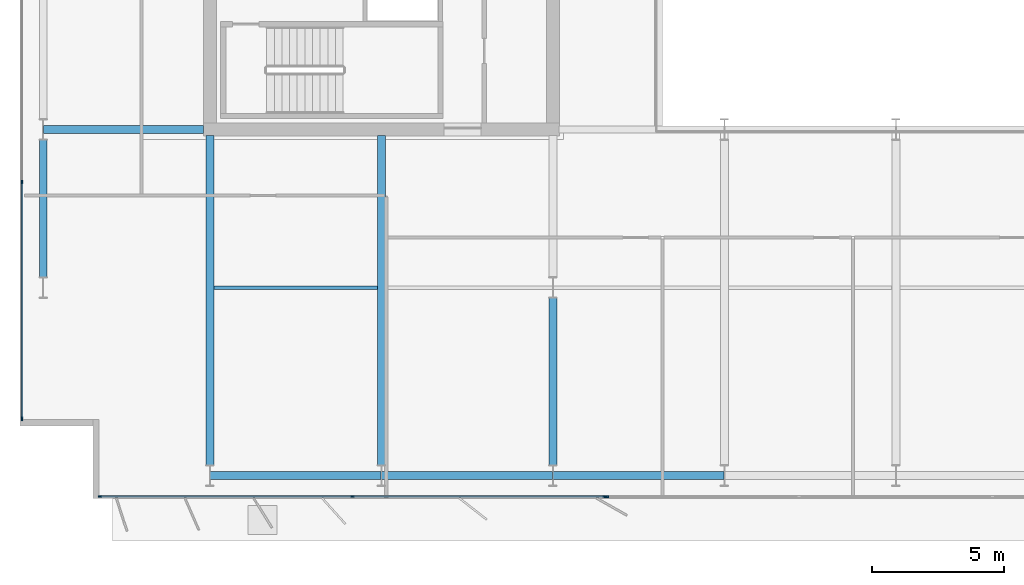
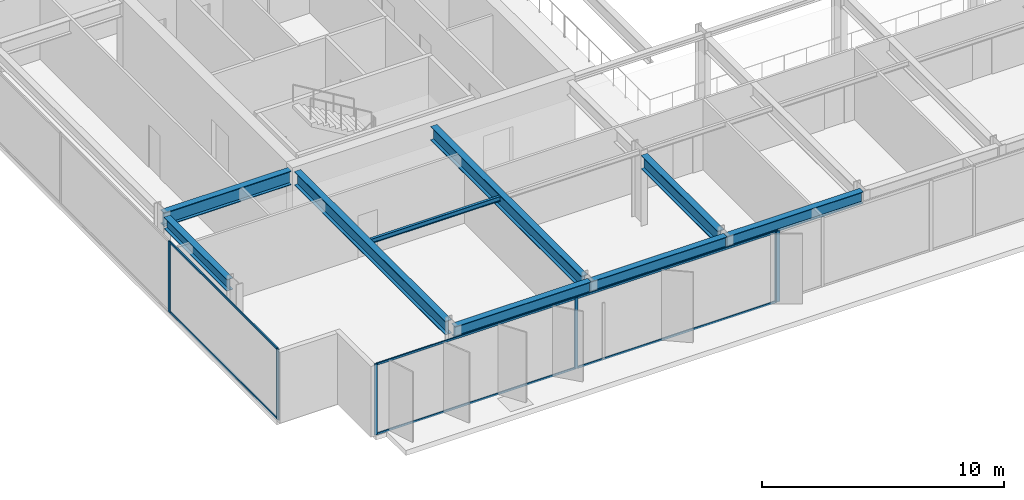
# One storey, part 3 of 23: 12 members, 9 beams, 3 elements without a shape of their own.
"""IFC4 building model written with IfcOpenShell, lengths in metres."""

from ifc_helpers import new_model, si_unit, direction, frame, origin, origin_2d, place, context, subcontext, project, spatial, rectangle, i_section, extrude, material, layer, layer_set, material_profile, profile_set, type_object, element, aggregate, save


model = new_model("IFC4")

# Units and contexts
model_context = context("Model", 3, precision=1e-05, world=origin(), true_north=direction((0.0, 1.0)))
body_context = subcontext(model_context, "Body", "Model", "MODEL_VIEW")
ifc_project = project(units=[si_unit("LENGTHUNIT", "METRE"), si_unit("AREAUNIT", "SQUARE_METRE"), si_unit("VOLUMEUNIT", "CUBIC_METRE"), si_unit("PLANEANGLEUNIT", "RADIAN"), si_unit("MASSUNIT", "GRAM", prefix="KILO")], contexts=[model_context])

# Site, building, storey
site_placement = place(None, origin())
site = spatial("IfcSite", under=ifc_project, at=site_placement, CompositionType="ELEMENT")
building_placement = place(site_placement, origin())
building = spatial("IfcBuilding", under=site, at=building_placement, Name="Putna Gate Headquarters", CompositionType="ELEMENT")
storey_placement = place(building_placement, frame((0.0, 0.0, 202.39990234375)))
storey = spatial("IfcBuildingStorey", under=building, at=storey_placement, Name="L50", CompositionType="ELEMENT", Elevation=202.39990234375)

# Beams
ifc_material_1 = material(Name="Steel S355J2", Category="steel")
ifc_material_profile_1 = material_profile(ifc_material_1, i_section(OverallWidth=0.300048828125, OverallDepth=0.699951171875, WebThickness=0.01708984375, FlangeThickness=0.031982421875, at=origin_2d()), Name="Steel S355J2")
ifc_profile_set_1 = profile_set([ifc_material_profile_1], Name="Steel S355J2")
beam_type_1 = type_object("IfcBeamType", Name="BM-GIRD-B-HEB700", PredefinedType="USERDEFINED", material=ifc_profile_set_1)
beam_1_placement = place(storey_placement, frame((6.68603515625, 19.0, 3.22998046875), z_axis=(1.0, 0.0, 0.0), x_axis=(0.0, 1.0, 0.0)))
element("IfcBeam", 1, at=beam_1_placement, inside=storey, type_object=beam_type_1, Name="L50 West Wing Girder Y19", ObjectType="GIRDER", PredefinedType="USERDEFINED", context=body_context, shape_type="SweptSolid", body=[
    extrude(i_section(OverallWidth=0.300048828125, OverallDepth=0.699951171875, WebThickness=0.01708984375, FlangeThickness=0.031982421875, at=origin_2d()), origin(), (0.0, 0.0, 1.0), 6.078857421875),
])
for number, where, z_axis, x_axis, name in (
    (2, (13.0, 6.27490234375, 3.22998046875), (0.0, 1.0, 0.0), (-1.0, 0.0, 0.0), "L50 South Primary Girder X13"),
    (3, (19.5, 6.27490234375, 3.22998046875), (0.0, 1.0, 0.0), (-1.0, 0.0, 0.0), "L50 South Primary Girder X19"),
):
    element("IfcBeam", number, at=place(storey_placement, frame(where, z_axis=z_axis, x_axis=x_axis)), inside=storey, type_object=beam_type_1, Name=name, ObjectType="GIRDER", PredefinedType="USERDEFINED", context=body_context, shape_type="SweptSolid", body=[
        extrude(i_section(OverallWidth=0.300048828125, OverallDepth=0.699951171875, WebThickness=0.01708984375, FlangeThickness=0.031982421875, at=origin_2d()), origin(), (0.0, 0.0, 1.0), 12.489990234375),
    ])
beam_2_placement = place(storey_placement, frame((26.0, 6.27490234375, 3.22998046875), z_axis=(0.0, 1.0, 0.0), x_axis=(-1.0, 0.0, 0.0)))
element("IfcBeam", 4, at=beam_2_placement, inside=storey, type_object=beam_type_1, Name="L50 South Primary Girder X26-1", ObjectType="GIRDER", PredefinedType="USERDEFINED", context=body_context, shape_type="SweptSolid", body=[
    extrude(i_section(OverallWidth=0.300048828125, OverallDepth=0.699951171875, WebThickness=0.01708984375, FlangeThickness=0.031982421875, at=origin_2d()), origin(), (0.0, 0.0, 1.0), 6.330078125),
])
ifc_material_profile_2 = material_profile(ifc_material_1, i_section(OverallWidth=0.1201171875, OverallDepth=0.239990234375, WebThickness=0.006103515625, FlangeThickness=0.009765625, at=origin_2d()), Name="Steel S355J2")
ifc_profile_set_2 = profile_set([ifc_material_profile_2], Name="Steel S355J2")
beam_type_2 = type_object("IfcBeamType", Name="BM-SEC-Z4-IPE240", PredefinedType="JOIST", material=ifc_profile_set_2)
beam_3_placement = place(storey_placement, frame((13.154052734375, 13.0, 3.460205078125), z_axis=(1.0, 0.0, 0.0), x_axis=(0.0, 1.0, 0.0)))
element("IfcBeam", 5, at=beam_3_placement, inside=storey, type_object=beam_type_2, Name="L50 South Secondary Beam 1", PredefinedType="JOIST", context=body_context, shape_type="SweptSolid", body=[
    extrude(i_section(OverallWidth=0.1201171875, OverallDepth=0.239990234375, WebThickness=0.006103515625, FlangeThickness=0.009765625, at=origin_2d()), origin(), (0.0, 0.0, 1.0), 6.19189453125),
])
ifc_material_profile_3 = material_profile(ifc_material_1, i_section(OverallWidth=0.300048828125, OverallDepth=0.590087890625, WebThickness=0.012939453125, FlangeThickness=0.02490234375, at=origin_2d()), Name="Steel S355J2")
ifc_profile_set_3 = profile_set([ifc_material_profile_3], Name="Steel S355J2")
beam_type_3 = type_object("IfcBeamType", Name="BM-SPAN-Z4-HEA600", PredefinedType="SPANDREL", material=ifc_profile_set_3)
for number, where, z_axis, x_axis, name in (
    (6, (13.006103515625, 5.8798828125, 3.28515625), (1.0, 0.0, 0.0), (0.0, 1.0, 0.0), "L50 S Perimeter Spandrel 1"),
    (7, (19.506103515625, 5.8798828125, 3.28515625), (1.0, 0.0, 0.0), (0.0, 1.0, 0.0), "L50 S Perimeter Spandrel 2"),
    (8, (26.006103515625, 5.8798828125, 3.28515625), (1.0, 0.0, 0.0), (0.0, 1.0, 0.0), "L50 S Perimeter Spandrel 3"),
):
    element("IfcBeam", number, at=place(storey_placement, frame(where, z_axis=z_axis, x_axis=x_axis)), inside=storey, type_object=beam_type_3, Name=name, PredefinedType="SPANDREL", context=body_context, shape_type="SweptSolid", body=[
        extrude(i_section(OverallWidth=0.300048828125, OverallDepth=0.590087890625, WebThickness=0.012939453125, FlangeThickness=0.02490234375, at=origin_2d()), origin(), (0.0, 0.0, 1.0), 6.48779296875),
    ])
beam_4_placement = place(storey_placement, frame((6.679931640625, 13.39501953125, 3.28515625), z_axis=(0.0, 1.0, 0.0), x_axis=(-1.0, 0.0, 0.0)))
element("IfcBeam", 9, at=beam_4_placement, inside=storey, type_object=beam_type_3, Name="L50 W End Spandrel 1", PredefinedType="SPANDREL", context=body_context, shape_type="SweptSolid", body=[
    extrude(i_section(OverallWidth=0.300048828125, OverallDepth=0.590087890625, WebThickness=0.012939453125, FlangeThickness=0.02490234375, at=origin_2d()), origin(), (0.0, 0.0, 1.0), 5.2099609375),
])

# Curtain wall, members
ifc_material_2 = material(Name="Anodised bronze aluminium curtain wall", Category="aluminium")
ifc_layer_1 = layer(ifc_material_2, 0.139892578125)
ifc_layer_set_1 = layer_set([ifc_layer_1], Name="Anodised bronze aluminium curtain wall")
curtain_wall_type_1 = type_object("IfcCurtainWallType", Name="CW-SYS-Z4", PredefinedType="USERDEFINED", material=ifc_layer_set_1)
curtain_wall_1_placement = place(storey_placement, origin())
curtain_wall_1 = element("IfcCurtainWall", 10, at=curtain_wall_1_placement, inside=storey, type_object=curtain_wall_type_1, Name="L50 South West Curtain Wall", ObjectType="STICK CURTAIN WALL", PredefinedType="USERDEFINED")
ifc_material_3 = material(Name="Anodised bronze aluminium EN AW-6060", Category="aluminium")
ifc_material_profile_4 = material_profile(ifc_material_3, rectangle(XDim=0.06005859375, YDim=0.139892578125, at=origin_2d()), Name="Anodised bronze aluminium EN AW-6060")
ifc_profile_set_4 = profile_set([ifc_material_profile_4], Name="Anodised bronze aluminium EN AW-6060")
member_type_1 = type_object("IfcMemberType", Name="MULL-CWM-4", PredefinedType="MULLION", material=ifc_profile_set_4)
member_1_placement = place(storey_placement, frame((8.830078125, 5.080078125, 0.0), z_axis=(0.0, 0.0, 1.0), x_axis=(0.0, 1.0, 0.0)))
member_1 = element("IfcMember", 11, at=member_1_placement, type_object=member_type_1, Name="CWS-4 mullion 1", PredefinedType="MULLION", context=body_context, shape_type="SweptSolid", body=[
    extrude(rectangle(XDim=0.06005859375, YDim=0.139892578125, at=origin_2d()), origin(), (0.0, 0.0, 1.0), 3.580078125),
])
member_2_placement = place(storey_placement, frame((18.39990234375, 5.080078125, 0.0), z_axis=(0.0, 0.0, 1.0), x_axis=(0.0, 1.0, 0.0)))
member_2 = element("IfcMember", 12, at=member_2_placement, type_object=member_type_1, Name="CWS-4 mullion 2", PredefinedType="MULLION", context=body_context, shape_type="SweptSolid", body=[
    extrude(rectangle(XDim=0.06005859375, YDim=0.139892578125, at=origin_2d()), origin(), (0.0, 0.0, 1.0), 3.580078125),
])
member_3_placement = place(storey_placement, frame((27.969970703125, 5.080078125, 0.0), z_axis=(0.0, 0.0, 1.0), x_axis=(0.0, 1.0, 0.0)))
member_3 = element("IfcMember", 13, at=member_3_placement, type_object=member_type_1, Name="CWS-4 mullion 3", PredefinedType="MULLION", context=body_context, shape_type="SweptSolid", body=[
    extrude(rectangle(XDim=0.06005859375, YDim=0.139892578125, at=origin_2d()), origin(), (0.0, 0.0, 1.0), 3.580078125),
])

curtain_wall_2_placement = place(storey_placement, origin())
curtain_wall_2 = element("IfcCurtainWall", 14, at=curtain_wall_2_placement, inside=storey, type_object=curtain_wall_type_1, Name="L50 West Curtain Wall", ObjectType="STICK CURTAIN WALL", PredefinedType="USERDEFINED")
member_4_placement = place(storey_placement, frame((5.8798828125, 8.030029296875, 0.0), z_axis=(0.0, 0.0, 1.0), x_axis=(-1.0, 0.0, 0.0)))
member_4 = element("IfcMember", 15, at=member_4_placement, type_object=member_type_1, Name="CWS-4 mullion 1", PredefinedType="MULLION", context=body_context, shape_type="SweptSolid", body=[
    extrude(rectangle(XDim=0.06005859375, YDim=0.139892578125, at=origin_2d()), origin(), (0.0, 0.0, 1.0), 3.580078125),
])
member_5_placement = place(storey_placement, frame((5.8798828125, 17.0, 0.0), z_axis=(0.0, 0.0, 1.0), x_axis=(-1.0, 0.0, 0.0)))
member_5 = element("IfcMember", 16, at=member_5_placement, type_object=member_type_1, Name="CWS-4 mullion 2", PredefinedType="MULLION", context=body_context, shape_type="SweptSolid", body=[
    extrude(rectangle(XDim=0.06005859375, YDim=0.139892578125, at=origin_2d()), origin(), (0.0, 0.0, 1.0), 3.580078125),
])

# Curtain wall, member
ifc_layer_2 = layer(ifc_material_2, 0.179931640625)
ifc_layer_set_2 = layer_set([ifc_layer_2], Name="Anodised bronze aluminium curtain wall")
curtain_wall_type_2 = type_object("IfcCurtainWallType", Name="CW-SYS-ATR", PredefinedType="USERDEFINED", material=ifc_layer_set_2)
curtain_wall_3_placement = place(storey_placement, origin())
curtain_wall_3 = element("IfcCurtainWall", 17, at=curtain_wall_3_placement, inside=storey, type_object=curtain_wall_type_2, Name="L50 South Atrium Clear Glazing", ObjectType="ATRIUM GLAZING", PredefinedType="USERDEFINED")
ifc_material_profile_5 = material_profile(ifc_material_3, rectangle(XDim=0.070068359375, YDim=0.179931640625, at=origin_2d()), Name="Anodised bronze aluminium EN AW-6060")
ifc_profile_set_5 = profile_set([ifc_material_profile_5], Name="Anodised bronze aluminium EN AW-6060")
member_type_2 = type_object("IfcMemberType", Name="MULL-CWM-AT", PredefinedType="MULLION", material=ifc_profile_set_5)
member_6_placement = place(storey_placement, frame((28.034912109375, 5.080078125, 0.0), z_axis=(0.0, 0.0, 1.0), x_axis=(0.0, 1.0, 0.0)))
member_6 = element("IfcMember", 18, at=member_6_placement, type_object=member_type_2, Name="CWS-AT mullion 1", PredefinedType="MULLION", context=body_context, shape_type="SweptSolid", body=[
    extrude(rectangle(XDim=0.070068359375, YDim=0.179931640625, at=origin_2d()), origin(), (0.0, 0.0, 1.0), 3.580078125),
])
aggregate(curtain_wall_3, [member_6])

# Member
ifc_material_profile_6 = material_profile(ifc_material_3, rectangle(XDim=0.06005859375, YDim=0.10009765625, at=origin_2d()), Name="Anodised bronze aluminium EN AW-6060")
ifc_profile_set_6 = profile_set([ifc_material_profile_6], Name="Anodised bronze aluminium EN AW-6060")
member_type_3 = type_object("IfcMemberType", Name="TRAN-CWT-4", PredefinedType="USERDEFINED", material=ifc_profile_set_6)
member_7_placement = place(storey_placement, frame((8.860107421875, 5.080078125, 0.030029296875), z_axis=(1.0, 0.0, 0.0), x_axis=(0.0, 1.0, 0.0)))
member_7 = element("IfcMember", 19, at=member_7_placement, type_object=member_type_3, Name="CWS-4 transom 1.1", ObjectType="TRANSOM", PredefinedType="USERDEFINED", context=body_context, shape_type="SweptSolid", body=[
    extrude(rectangle(XDim=0.06005859375, YDim=0.10009765625, at=origin_2d()), origin(), (0.0, 0.0, 1.0), 9.510009765625),
])

member_8_placement = place(storey_placement, frame((8.860107421875, 5.080078125, 3.550048828125), z_axis=(1.0, 0.0, 0.0), x_axis=(0.0, 1.0, 0.0)))
member_8 = element("IfcMember", 20, at=member_8_placement, type_object=member_type_3, Name="CWS-4 transom 1.2", ObjectType="TRANSOM", PredefinedType="USERDEFINED", context=body_context, shape_type="SweptSolid", body=[
    extrude(rectangle(XDim=0.06005859375, YDim=0.10009765625, at=origin_2d()), origin(), (0.0, 0.0, 1.0), 9.510009765625),
])

member_9_placement = place(storey_placement, frame((18.429931640625, 5.080078125, 0.030029296875), z_axis=(1.0, 0.0, 0.0), x_axis=(0.0, 1.0, 0.0)))
member_9 = element("IfcMember", 21, at=member_9_placement, type_object=member_type_3, Name="CWS-4 transom 2.1", ObjectType="TRANSOM", PredefinedType="USERDEFINED", context=body_context, shape_type="SweptSolid", body=[
    extrude(rectangle(XDim=0.06005859375, YDim=0.10009765625, at=origin_2d()), origin(), (0.0, 0.0, 1.0), 9.510009765625),
])

member_10_placement = place(storey_placement, frame((18.429931640625, 5.080078125, 3.550048828125), z_axis=(1.0, 0.0, 0.0), x_axis=(0.0, 1.0, 0.0)))
member_10 = element("IfcMember", 22, at=member_10_placement, type_object=member_type_3, Name="CWS-4 transom 2.2", ObjectType="TRANSOM", PredefinedType="USERDEFINED", context=body_context, shape_type="SweptSolid", body=[
    extrude(rectangle(XDim=0.06005859375, YDim=0.10009765625, at=origin_2d()), origin(), (0.0, 0.0, 1.0), 9.510009765625),
])

aggregate(curtain_wall_1, [member_1, member_2, member_3, member_7, member_8, member_9, member_10])

member_11_placement = place(storey_placement, frame((5.8798828125, 8.06005859375, 0.030029296875), z_axis=(0.0, 1.0, 0.0), x_axis=(-1.0, 0.0, 0.0)))
member_11 = element("IfcMember", 23, at=member_11_placement, type_object=member_type_3, Name="CWS-4 transom 1.1", ObjectType="TRANSOM", PredefinedType="USERDEFINED", context=body_context, shape_type="SweptSolid", body=[
    extrude(rectangle(XDim=0.06005859375, YDim=0.10009765625, at=origin_2d()), origin(), (0.0, 0.0, 1.0), 8.909912109375),
])

member_12_placement = place(storey_placement, frame((5.8798828125, 8.06005859375, 3.550048828125), z_axis=(0.0, 1.0, 0.0), x_axis=(-1.0, 0.0, 0.0)))
member_12 = element("IfcMember", 24, at=member_12_placement, type_object=member_type_3, Name="CWS-4 transom 1.2", ObjectType="TRANSOM", PredefinedType="USERDEFINED", context=body_context, shape_type="SweptSolid", body=[
    extrude(rectangle(XDim=0.06005859375, YDim=0.10009765625, at=origin_2d()), origin(), (0.0, 0.0, 1.0), 8.909912109375),
])

aggregate(curtain_wall_2, [member_4, member_5, member_11, member_12])

save(model, "model.ifc")
